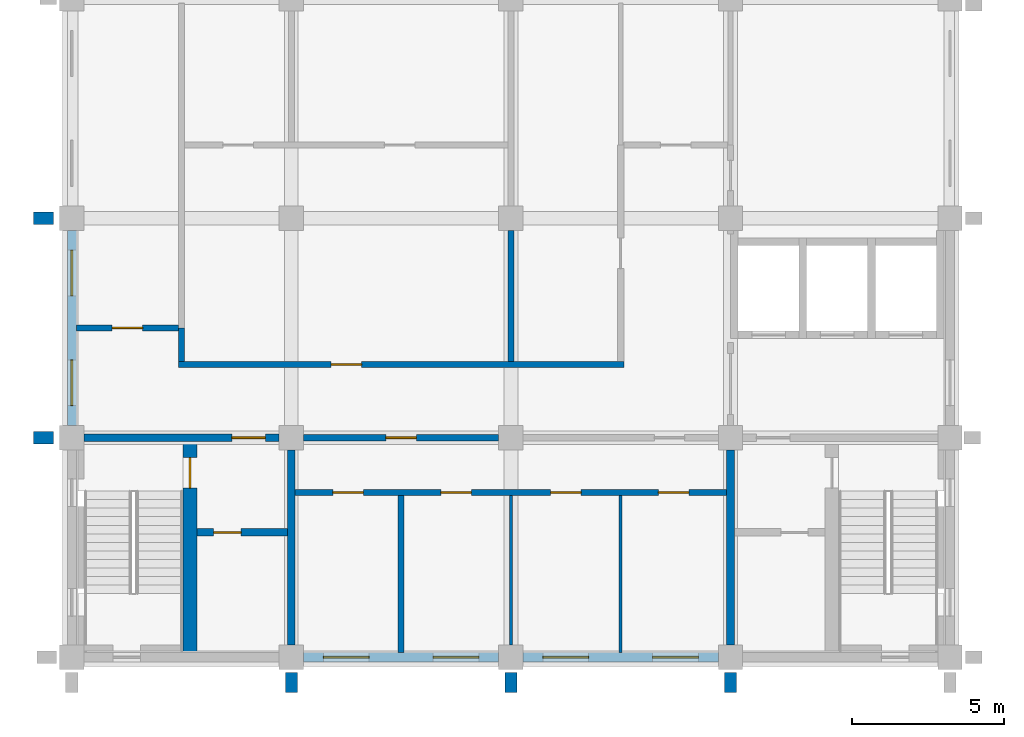
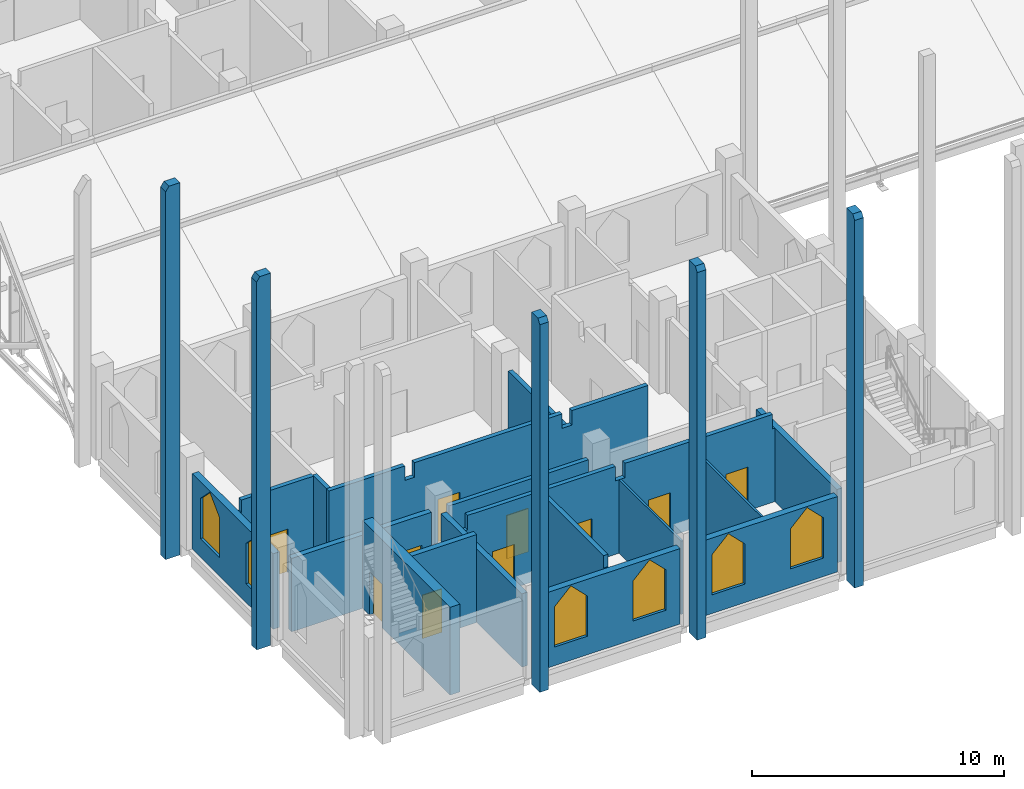
# One storey, part 18 of 29: 22 walls, 10 doors, 6 windows, 16 openings.
"""IFC4 building model written with IfcOpenShell, lengths in metres."""

from ifc_helpers import new_model, si_unit, direction, frame, frame_2d, origin, place, context, subcontext, project, spatial, polyline, rectangle, outline, extrude, material, layer, layer_set, type_object, element, fill, save


model = new_model("IFC4")

# Units and contexts
model_context = context("Model", 3, precision=1e-05, world=origin(), true_north=direction((0.0, 1.0)))
body_context = subcontext(model_context, "Body", "Model", "MODEL_VIEW")
ifc_project = project(units=[si_unit("LENGTHUNIT", "METRE"), si_unit("AREAUNIT", "SQUARE_METRE"), si_unit("VOLUMEUNIT", "CUBIC_METRE"), si_unit("PLANEANGLEUNIT", "RADIAN"), si_unit("MASSUNIT", "GRAM", prefix="KILO")], contexts=[model_context])

# Site, building, storey
site_placement = place(None, origin())
site = spatial("IfcSite", under=ifc_project, at=site_placement, CompositionType="ELEMENT")
building_placement = place(site_placement, origin())
building = spatial("IfcBuilding", under=site, at=building_placement, Name="Silangan Lancet Faculty of Sciences", CompositionType="ELEMENT")
storey_placement = place(building_placement, frame((0.0, 0.0, 40.800048828125)))
storey = spatial("IfcBuildingStorey", under=building, at=storey_placement, Name="L08", CompositionType="ELEMENT", Elevation=40.800048828125)

# Wall, openings, windows
ifc_material_1 = material(Name="Concrete C40/50 precast", Category="concrete")
ifc_layer_1 = layer(ifc_material_1, 0.300048828125)
ifc_layer_set_1 = layer_set([ifc_layer_1], Name="Concrete C40/50 precast")
wall_type_1 = type_object("IfcWallType", Name="EW1 Precast cladding wall", PredefinedType="STANDARD", material=ifc_layer_set_1)
wall_1_placement = place(storey_placement, frame((0.0, 7.60009765625, 0.0), z_axis=(0.0, 0.0, 1.0), x_axis=(0.0, 1.0, 0.0)))
wall_1 = element("IfcWall", 1, at=wall_1_placement, inside=storey, type_object=wall_type_1, Name="EW-L08-W-ST-01", PredefinedType="STANDARD", context=body_context, shape_type="SweptSolid", body=[
    extrude(rectangle(XDim=6.39990234375, YDim=0.300048828125, at=frame_2d((3.199951171875, 0.0))), origin(), (0.0, 0.0, 1.0), 3.64990234375),
])
opening_1_placement = place(wall_1_placement, frame((0.64990234375, 0.0, 0.89990234375)))
opening_1 = element("IfcOpeningElement", 2, at=opening_1_placement, cuts=wall_1, Name="Opening W23", PredefinedType="OPENING", context=body_context, shape_type="SweptSolid", body=[
    extrude(outline(polyline([(0.0, 0.0), (1.5, 0.0), (1.5, 1.949951171875), (0.75, 2.699951171875), (0.0, 1.949951171875), (0.0, 0.0)])), frame((0.0, 0.159912109375, 0.0), z_axis=(0.0, -1.0, 0.0), x_axis=(1.0, 0.0, 0.0)), (0.0, 0.0, 1.0), 0.320068359375),
])
opening_2_placement = place(wall_1_placement, frame((4.25, 0.0, 0.89990234375)))
opening_2 = element("IfcOpeningElement", 3, at=opening_2_placement, cuts=wall_1, Name="Opening W23", PredefinedType="OPENING", context=body_context, shape_type="SweptSolid", body=[
    extrude(outline(polyline([(0.0, 0.0), (1.5, 0.0), (1.5, 1.949951171875), (0.75, 2.699951171875), (0.0, 1.949951171875), (0.0, 0.0)])), frame((0.0, 0.159912109375, 0.0), z_axis=(0.0, -1.0, 0.0), x_axis=(1.0, 0.0, 0.0)), (0.0, 0.0, 1.0), 0.320068359375),
])
ifc_material_2 = material(Name="Aluminium frame, laminated double glazing", Category="aluminium")
window_type = type_object("IfcWindowType", Name="W23 Lancet window 1500 x 2700", PartitioningType="SINGLE_PANEL", PredefinedType="WINDOW", material=ifc_material_2)
window_1_placement = place(opening_1_placement, origin())
window_1 = element("IfcWindow", 4, at=window_1_placement, inside=storey, type_object=window_type, Name="WIN-L08-W-ST-01a", OverallHeight=2.699951171875, OverallWidth=1.5, PartitioningType="SINGLE_PANEL", PredefinedType="WINDOW", context=body_context, shape_type="SweptSolid", body=[
    extrude(outline(polyline([(0.0, 0.0), (1.5, 0.0), (1.5, 1.949951171875), (0.75, 2.699951171875), (0.0, 1.949951171875), (0.0, 0.0)])), frame((0.0, 0.030029296875, 0.0), z_axis=(0.0, -1.0, 0.0), x_axis=(1.0, 0.0, 0.0)), (0.0, 0.0, 1.0), 0.06005859375),
])
fill(opening_1, window_1)
window_2_placement = place(opening_2_placement, origin())
window_2 = element("IfcWindow", 5, at=window_2_placement, inside=storey, type_object=window_type, Name="WIN-L08-W-ST-01b", OverallHeight=2.699951171875, OverallWidth=1.5, PartitioningType="SINGLE_PANEL", PredefinedType="WINDOW", context=body_context, shape_type="SweptSolid", body=[
    extrude(outline(polyline([(0.0, 0.0), (1.5, 0.0), (1.5, 1.949951171875), (0.75, 2.699951171875), (0.0, 1.949951171875), (0.0, 0.0)])), frame((0.0, 0.030029296875, 0.0), z_axis=(0.0, -1.0, 0.0), x_axis=(1.0, 0.0, 0.0)), (0.0, 0.0, 1.0), 0.06005859375),
])
fill(opening_2, window_2)

wall_2_placement = place(storey_placement, frame((7.60009765625, 0.0, 0.0), z_axis=(0.0, 0.0, 1.0), x_axis=(1.0, 0.0, 0.0)))
wall_2 = element("IfcWall", 6, at=wall_2_placement, inside=storey, type_object=wall_type_1, Name="EW-L08-S-ST-01", PredefinedType="STANDARD", context=body_context, shape_type="SweptSolid", body=[
    extrude(rectangle(XDim=6.39990234375, YDim=0.300048828125, at=frame_2d((3.199951171875, 0.0))), origin(), (0.0, 0.0, 1.0), 3.64990234375),
])
opening_3_placement = place(wall_2_placement, frame((0.64990234375, 0.0, 0.89990234375)))
opening_3 = element("IfcOpeningElement", 7, at=opening_3_placement, cuts=wall_2, Name="Opening W23", PredefinedType="OPENING", context=body_context, shape_type="SweptSolid", body=[
    extrude(outline(polyline([(0.0, 0.0), (1.5, 0.0), (1.5, 1.949951171875), (0.75, 2.699951171875), (0.0, 1.949951171875), (0.0, 0.0)])), frame((0.0, 0.159912109375, 0.0), z_axis=(0.0, -1.0, 0.0), x_axis=(1.0, 0.0, 0.0)), (0.0, 0.0, 1.0), 0.320068359375),
])
opening_4_placement = place(wall_2_placement, frame((4.25, 0.0, 0.89990234375)))
opening_4 = element("IfcOpeningElement", 8, at=opening_4_placement, cuts=wall_2, Name="Opening W23", PredefinedType="OPENING", context=body_context, shape_type="SweptSolid", body=[
    extrude(outline(polyline([(0.0, 0.0), (1.5, 0.0), (1.5, 1.949951171875), (0.75, 2.699951171875), (0.0, 1.949951171875), (0.0, 0.0)])), frame((0.0, 0.159912109375, 0.0), z_axis=(0.0, -1.0, 0.0), x_axis=(1.0, 0.0, 0.0)), (0.0, 0.0, 1.0), 0.320068359375),
])
window_3_placement = place(opening_3_placement, origin())
window_3 = element("IfcWindow", 9, at=window_3_placement, inside=storey, type_object=window_type, Name="WIN-L08-S-ST-01a", OverallHeight=2.699951171875, OverallWidth=1.5, PartitioningType="SINGLE_PANEL", PredefinedType="WINDOW", context=body_context, shape_type="SweptSolid", body=[
    extrude(outline(polyline([(0.0, 0.0), (1.5, 0.0), (1.5, 1.949951171875), (0.75, 2.699951171875), (0.0, 1.949951171875), (0.0, 0.0)])), frame((0.0, 0.030029296875, 0.0), z_axis=(0.0, -1.0, 0.0), x_axis=(1.0, 0.0, 0.0)), (0.0, 0.0, 1.0), 0.06005859375),
])
fill(opening_3, window_3)
window_4_placement = place(opening_4_placement, origin())
window_4 = element("IfcWindow", 10, at=window_4_placement, inside=storey, type_object=window_type, Name="WIN-L08-S-ST-01b", OverallHeight=2.699951171875, OverallWidth=1.5, PartitioningType="SINGLE_PANEL", PredefinedType="WINDOW", context=body_context, shape_type="SweptSolid", body=[
    extrude(outline(polyline([(0.0, 0.0), (1.5, 0.0), (1.5, 1.949951171875), (0.75, 2.699951171875), (0.0, 1.949951171875), (0.0, 0.0)])), frame((0.0, 0.030029296875, 0.0), z_axis=(0.0, -1.0, 0.0), x_axis=(1.0, 0.0, 0.0)), (0.0, 0.0, 1.0), 0.06005859375),
])
fill(opening_4, window_4)

wall_3_placement = place(storey_placement, frame((14.800048828125, 0.0, 0.0), z_axis=(0.0, 0.0, 1.0), x_axis=(1.0, 0.0, 0.0)))
wall_3 = element("IfcWall", 11, at=wall_3_placement, inside=storey, type_object=wall_type_1, Name="EW-L08-S-ST-02", PredefinedType="STANDARD", context=body_context, shape_type="SweptSolid", body=[
    extrude(rectangle(XDim=6.39990234375, YDim=0.300048828125, at=frame_2d((3.199951171875, 0.0))), origin(), (0.0, 0.0, 1.0), 3.64990234375),
])
opening_5_placement = place(wall_3_placement, frame((0.64990234375, 0.0, 0.89990234375)))
opening_5 = element("IfcOpeningElement", 12, at=opening_5_placement, cuts=wall_3, Name="Opening W23", PredefinedType="OPENING", context=body_context, shape_type="SweptSolid", body=[
    extrude(outline(polyline([(0.0, 0.0), (1.5, 0.0), (1.5, 1.949951171875), (0.75, 2.699951171875), (0.0, 1.949951171875), (0.0, 0.0)])), frame((0.0, 0.159912109375, 0.0), z_axis=(0.0, -1.0, 0.0), x_axis=(1.0, 0.0, 0.0)), (0.0, 0.0, 1.0), 0.320068359375),
])
opening_6_placement = place(wall_3_placement, frame((4.25, 0.0, 0.89990234375)))
opening_6 = element("IfcOpeningElement", 13, at=opening_6_placement, cuts=wall_3, Name="Opening W23", PredefinedType="OPENING", context=body_context, shape_type="SweptSolid", body=[
    extrude(outline(polyline([(0.0, 0.0), (1.5, 0.0), (1.5, 1.949951171875), (0.75, 2.699951171875), (0.0, 1.949951171875), (0.0, 0.0)])), frame((0.0, 0.159912109375, 0.0), z_axis=(0.0, -1.0, 0.0), x_axis=(1.0, 0.0, 0.0)), (0.0, 0.0, 1.0), 0.320068359375),
])
window_5_placement = place(opening_5_placement, origin())
window_5 = element("IfcWindow", 14, at=window_5_placement, inside=storey, type_object=window_type, Name="WIN-L08-S-ST-02a", OverallHeight=2.699951171875, OverallWidth=1.5, PartitioningType="SINGLE_PANEL", PredefinedType="WINDOW", context=body_context, shape_type="SweptSolid", body=[
    extrude(outline(polyline([(0.0, 0.0), (1.5, 0.0), (1.5, 1.949951171875), (0.75, 2.699951171875), (0.0, 1.949951171875), (0.0, 0.0)])), frame((0.0, 0.030029296875, 0.0), z_axis=(0.0, -1.0, 0.0), x_axis=(1.0, 0.0, 0.0)), (0.0, 0.0, 1.0), 0.06005859375),
])
fill(opening_5, window_5)
window_6_placement = place(opening_6_placement, origin())
window_6 = element("IfcWindow", 15, at=window_6_placement, inside=storey, type_object=window_type, Name="WIN-L08-S-ST-02b", OverallHeight=2.699951171875, OverallWidth=1.5, PartitioningType="SINGLE_PANEL", PredefinedType="WINDOW", context=body_context, shape_type="SweptSolid", body=[
    extrude(outline(polyline([(0.0, 0.0), (1.5, 0.0), (1.5, 1.949951171875), (0.75, 2.699951171875), (0.0, 1.949951171875), (0.0, 0.0)])), frame((0.0, 0.030029296875, 0.0), z_axis=(0.0, -1.0, 0.0), x_axis=(1.0, 0.0, 0.0)), (0.0, 0.0, 1.0), 0.06005859375),
])
fill(opening_6, window_6)

# Walls
ifc_material_3 = material(Name="Concrete C40/50 precast", Category="concrete")
ifc_layer_2 = layer(ifc_material_3, 0.39990234375)
ifc_layer_set_2 = layer_set([ifc_layer_2], Name="Concrete C40/50 precast")
wall_type_2 = type_object("IfcWallType", Name="FN12 Buttress Fin column line stage 3 18000", PredefinedType="POLYGONAL", material=ifc_layer_set_2)
for number, where, z_axis, x_axis, name in (
    (16, (7.199951171875, -0.5, -0.25), (0.0, 0.0, 1.0), (0.0, -1.0, 0.0), "FINC-S-ST-02-S3"),
    (17, (14.39990234375, -0.5, -0.25), (0.0, 0.0, 1.0), (0.0, -1.0, 0.0), "FINC-S-ST-03-S3"),
    (18, (21.60009765625, -0.5, -0.25), (0.0, 0.0, 1.0), (0.0, -1.0, 0.0), "FINC-S-ST-04-S3"),
):
    element("IfcWall", number, at=place(storey_placement, frame(where, z_axis=z_axis, x_axis=x_axis)), inside=storey, type_object=wall_type_2, Name=name, PredefinedType="POLYGONAL", context=body_context, shape_type="SweptSolid", body=[
        extrude(outline(polyline([(0.64990234375, 0.0), (0.64990234375, 17.77490234375), (0.5, 18.0), (0.0, 18.0), (0.0, 0.0), (0.64990234375, 0.0)])), frame((0.0, 0.199951171875, 0.0), z_axis=(0.0, -1.0, 0.0), x_axis=(1.0, 0.0, 0.0)), (0.0, 0.0, 1.0), 0.39990234375),
    ])
ifc_material_4 = material(Name="Concrete C40/50 precast", Category="concrete")
ifc_layer_3 = layer(ifc_material_4, 0.39990234375)
ifc_layer_set_3 = layer_set([ifc_layer_3], Name="Concrete C40/50 precast")
wall_type_3 = type_object("IfcWallType", Name="FN16 Buttress Fin column line stage 3 18000", PredefinedType="POLYGONAL", material=ifc_layer_set_3)
for number, where, z_axis, x_axis, name in (
    (19, (-0.60009765625, 7.199951171875, -0.25), (0.0, 0.0, 1.0), (-1.0, 0.0, 0.0), "FINC-W-ST-02-S3"),
    (20, (-0.60009765625, 14.39990234375, -0.25), (0.0, 0.0, 1.0), (-1.0, 0.0, 0.0), "FINC-W-ST-03-S3"),
):
    element("IfcWall", number, at=place(storey_placement, frame(where, z_axis=z_axis, x_axis=x_axis)), inside=storey, type_object=wall_type_3, Name=name, PredefinedType="POLYGONAL", context=body_context, shape_type="SweptSolid", body=[
        extrude(outline(polyline([(0.64990234375, 0.0), (0.64990234375, 17.77490234375), (0.5, 18.0), (0.0, 18.0), (0.0, 0.0), (0.64990234375, 0.0)])), frame((0.0, 0.199951171875, 0.0), z_axis=(0.0, -1.0, 0.0), x_axis=(1.0, 0.0, 0.0)), (0.0, 0.0, 1.0), 0.39990234375),
    ])

# Wall, openings, doors
ifc_material_5 = material(Name="Hollow block masonry fm 7 MPa", Category="masonry")
ifc_layer_4 = layer(ifc_material_5, 0.199951171875)
ifc_layer_set_4 = layer_set([ifc_layer_4], Name="Hollow block masonry fm 7 MPa")
wall_type_4 = type_object("IfcWallType", Name="Interior wall PW1 Corridor wall CHB 200", PredefinedType="PARTITIONING", material=ifc_layer_set_4)
wall_4_placement = place(storey_placement, frame((7.324951171875, 5.39990234375, 0.0), z_axis=(0.0, 0.0, 1.0), x_axis=(1.0, 0.0, 0.0)))
wall_4 = element("IfcWall", 21, at=wall_4_placement, inside=storey, type_object=wall_type_4, Name="Corridor wall CHB 200", PredefinedType="PARTITIONING", context=body_context, shape_type="SweptSolid", body=[
    extrude(outline(polyline([(0.0, 0.0), (14.150146484375, 0.0), (14.150146484375, 3.550048828125), (14.050048828125, 3.550048828125), (14.050048828125, 4.25), (7.300048828125, 4.25), (7.300048828125, 3.550048828125), (6.85009765625, 3.550048828125), (6.85009765625, 4.25), (0.10009765625, 4.25), (0.10009765625, 3.550048828125), (0.0, 3.550048828125), (0.0, 0.0)])), frame((0.0, 0.10009765625, 0.0), z_axis=(0.0, -1.0, 0.0), x_axis=(1.0, 0.0, 0.0)), (0.0, 0.0, 1.0), 0.199951171875),
])
opening_7_placement = place(wall_4_placement, frame((1.237548828125, 0.0, 0.0)))
opening_7 = element("IfcOpeningElement", 22, at=opening_7_placement, cuts=wall_4, Name="Opening L08-007", PredefinedType="OPENING", context=body_context, shape_type="SweptSolid", body=[
    extrude(rectangle(XDim=1.0, YDim=2.10009765625, at=frame_2d((0.5, 1.050048828125))), frame((0.0, 0.10986328125, 0.0), z_axis=(0.0, -1.0, 0.0), x_axis=(1.0, 0.0, 0.0)), (0.0, 0.0, 1.0), 0.219970703125),
])
opening_8_placement = place(wall_4_placement, frame((4.77490234375, 0.0, 0.0)))
opening_8 = element("IfcOpeningElement", 23, at=opening_8_placement, cuts=wall_4, Name="Opening L08-008", PredefinedType="OPENING", context=body_context, shape_type="SweptSolid", body=[
    extrude(rectangle(XDim=1.0, YDim=2.10009765625, at=frame_2d((0.5, 1.050048828125))), frame((0.0, 0.10986328125, 0.0), z_axis=(0.0, -1.0, 0.0), x_axis=(1.0, 0.0, 0.0)), (0.0, 0.0, 1.0), 0.219970703125),
])
opening_9_placement = place(wall_4_placement, frame((8.375, 0.0, 0.0)))
opening_9 = element("IfcOpeningElement", 24, at=opening_9_placement, cuts=wall_4, Name="Opening L08-009", PredefinedType="OPENING", context=body_context, shape_type="SweptSolid", body=[
    extrude(rectangle(XDim=1.0, YDim=2.10009765625, at=frame_2d((0.5, 1.050048828125))), frame((0.0, 0.10986328125, 0.0), z_axis=(0.0, -1.0, 0.0), x_axis=(1.0, 0.0, 0.0)), (0.0, 0.0, 1.0), 0.219970703125),
])
opening_10_placement = place(wall_4_placement, frame((11.91259765625, 0.0, 0.0)))
opening_10 = element("IfcOpeningElement", 25, at=opening_10_placement, cuts=wall_4, Name="Opening L08-010", PredefinedType="OPENING", context=body_context, shape_type="SweptSolid", body=[
    extrude(rectangle(XDim=1.0, YDim=2.10009765625, at=frame_2d((0.5, 1.050048828125))), frame((0.0, 0.10986328125, 0.0), z_axis=(0.0, -1.0, 0.0), x_axis=(1.0, 0.0, 0.0)), (0.0, 0.0, 1.0), 0.219970703125),
])
ifc_material_6 = material(Name="Steel fire door set", Category="steel")
door_type_1 = type_object("IfcDoorType", Name="Door D1 Single leaf fire door 1000 x 2100", OperationType="SINGLE_SWING_LEFT", PredefinedType="DOOR", material=ifc_material_6)
door_1_placement = place(opening_7_placement, frame((1.0, 0.0, 0.0), z_axis=(0.0, 0.0, 1.0), x_axis=(-1.0, 0.0, 0.0)))
door_1 = element("IfcDoor", 26, at=door_1_placement, inside=storey, type_object=door_type_1, Name="Single leaf fire door 1000 x 2100", OperationType="SINGLE_SWING_LEFT", OverallHeight=2.10009765625, OverallWidth=1.0, PredefinedType="DOOR", context=body_context, shape_type="SweptSolid", body=[
    extrude(rectangle(XDim=1.0, YDim=2.10009765625, at=frame_2d((0.5, 1.050048828125))), frame((0.0, 0.025146484375, 0.0), z_axis=(0.0, -1.0, 0.0), x_axis=(1.0, 0.0, 0.0)), (0.0, 0.0, 1.0), 0.050048828125),
])
fill(opening_7, door_1)
door_2_placement = place(opening_8_placement, frame((1.0, 0.0, 0.0), z_axis=(0.0, 0.0, 1.0), x_axis=(-1.0, 0.0, 0.0)))
door_2 = element("IfcDoor", 27, at=door_2_placement, inside=storey, type_object=door_type_1, Name="Single leaf fire door 1000 x 2100", OperationType="SINGLE_SWING_RIGHT", OverallHeight=2.10009765625, OverallWidth=1.0, PredefinedType="DOOR", context=body_context, shape_type="SweptSolid", body=[
    extrude(rectangle(XDim=1.0, YDim=2.10009765625, at=frame_2d((0.5, 1.050048828125))), frame((0.0, 0.025146484375, 0.0), z_axis=(0.0, -1.0, 0.0), x_axis=(1.0, 0.0, 0.0)), (0.0, 0.0, 1.0), 0.050048828125),
])
fill(opening_8, door_2)
door_3_placement = place(opening_9_placement, frame((1.0, 0.0, 0.0), z_axis=(0.0, 0.0, 1.0), x_axis=(-1.0, 0.0, 0.0)))
door_3 = element("IfcDoor", 28, at=door_3_placement, inside=storey, type_object=door_type_1, Name="Single leaf fire door 1000 x 2100", OperationType="SINGLE_SWING_LEFT", OverallHeight=2.10009765625, OverallWidth=1.0, PredefinedType="DOOR", context=body_context, shape_type="SweptSolid", body=[
    extrude(rectangle(XDim=1.0, YDim=2.10009765625, at=frame_2d((0.5, 1.050048828125))), frame((0.0, 0.025146484375, 0.0), z_axis=(0.0, -1.0, 0.0), x_axis=(1.0, 0.0, 0.0)), (0.0, 0.0, 1.0), 0.050048828125),
])
fill(opening_9, door_3)
door_4_placement = place(opening_10_placement, frame((1.0, 0.0, 0.0), z_axis=(0.0, 0.0, 1.0), x_axis=(-1.0, 0.0, 0.0)))
door_4 = element("IfcDoor", 29, at=door_4_placement, inside=storey, type_object=door_type_1, Name="Single leaf fire door 1000 x 2100", OperationType="SINGLE_SWING_RIGHT", OverallHeight=2.10009765625, OverallWidth=1.0, PredefinedType="DOOR", context=body_context, shape_type="SweptSolid", body=[
    extrude(rectangle(XDim=1.0, YDim=2.10009765625, at=frame_2d((0.5, 1.050048828125))), frame((0.0, 0.025146484375, 0.0), z_axis=(0.0, -1.0, 0.0), x_axis=(1.0, 0.0, 0.0)), (0.0, 0.0, 1.0), 0.050048828125),
])
fill(opening_10, door_4)

# Wall, opening, door
wall_5_placement = place(storey_placement, frame((7.60009765625, 7.199951171875, 0.0), z_axis=(0.0, 0.0, 1.0), x_axis=(1.0, 0.0, 0.0)))
wall_5 = element("IfcWall", 30, at=wall_5_placement, inside=storey, type_object=wall_type_4, Name="Corridor wall CHB 200", PredefinedType="PARTITIONING", context=body_context, shape_type="SweptSolid", body=[
    extrude(rectangle(XDim=6.39990234375, YDim=0.199951171875, at=frame_2d((3.199951171875, 0.0))), origin(), (0.0, 0.0, 1.0), 3.550048828125),
])
opening_11_placement = place(wall_5_placement, frame((2.699951171875, 0.0, 0.0)))
opening_11 = element("IfcOpeningElement", 31, at=opening_11_placement, cuts=wall_5, Name="Opening L08-002", PredefinedType="OPENING", context=body_context, shape_type="SweptSolid", body=[
    extrude(rectangle(XDim=1.0, YDim=2.10009765625, at=frame_2d((0.5, 1.050048828125))), frame((0.0, 0.10986328125, 0.0), z_axis=(0.0, -1.0, 0.0), x_axis=(1.0, 0.0, 0.0)), (0.0, 0.0, 1.0), 0.219970703125),
])
door_5_placement = place(opening_11_placement, frame((1.0, 0.0, 0.0), z_axis=(0.0, 0.0, 1.0), x_axis=(-1.0, 0.0, 0.0)))
door_5 = element("IfcDoor", 32, at=door_5_placement, inside=storey, type_object=door_type_1, Name="Single leaf fire door 1000 x 2100", OperationType="SINGLE_SWING_RIGHT", OverallHeight=2.10009765625, OverallWidth=1.0, PredefinedType="DOOR", context=body_context, shape_type="SweptSolid", body=[
    extrude(rectangle(XDim=1.0, YDim=2.10009765625, at=frame_2d((0.5, 1.050048828125))), frame((0.0, 0.025146484375, 0.0), z_axis=(0.0, -1.0, 0.0), x_axis=(1.0, 0.0, 0.0)), (0.0, 0.0, 1.0), 0.050048828125),
])
fill(opening_11, door_5)

wall_6_placement = place(storey_placement, frame((3.5, 9.60009765625, 0.0), z_axis=(0.0, 0.0, 1.0), x_axis=(1.0, 0.0, 0.0)))
wall_6 = element("IfcWall", 33, at=wall_6_placement, inside=storey, type_object=wall_type_4, Name="Corridor wall CHB 200", PredefinedType="PARTITIONING", context=body_context, shape_type="SweptSolid", body=[
    extrude(outline(polyline([(0.0, 0.0), (14.60009765625, 0.0), (14.60009765625, 4.25), (11.125, 4.25), (11.125, 3.550048828125), (10.675048828125, 3.550048828125), (10.675048828125, 4.25), (3.925048828125, 4.25), (3.925048828125, 3.550048828125), (3.47509765625, 3.550048828125), (3.47509765625, 4.25), (0.0, 4.25), (0.0, 0.0)])), frame((0.0, 0.10009765625, 0.0), z_axis=(0.0, -1.0, 0.0), x_axis=(1.0, 0.0, 0.0)), (0.0, 0.0, 1.0), 0.199951171875),
])
opening_12_placement = place(wall_6_placement, frame((5.0, 0.0, 0.0)))
opening_12 = element("IfcOpeningElement", 34, at=opening_12_placement, cuts=wall_6, Name="Opening L08-014", PredefinedType="OPENING", context=body_context, shape_type="SweptSolid", body=[
    extrude(rectangle(XDim=1.0, YDim=2.10009765625, at=frame_2d((0.5, 1.050048828125))), frame((0.0, 0.10986328125, 0.0), z_axis=(0.0, -1.0, 0.0), x_axis=(1.0, 0.0, 0.0)), (0.0, 0.0, 1.0), 0.219970703125),
])
door_6_placement = place(opening_12_placement, origin())
door_6 = element("IfcDoor", 35, at=door_6_placement, inside=storey, type_object=door_type_1, Name="Single leaf fire door 1000 x 2100", OperationType="SINGLE_SWING_LEFT", OverallHeight=2.10009765625, OverallWidth=1.0, PredefinedType="DOOR", context=body_context, shape_type="SweptSolid", body=[
    extrude(rectangle(XDim=1.0, YDim=2.10009765625, at=frame_2d((0.5, 1.050048828125))), frame((0.0, 0.02490234375, 0.0), z_axis=(0.0, -1.0, 0.0), x_axis=(1.0, 0.0, 0.0)), (0.0, 0.0, 1.0), 0.050048828125),
])
fill(opening_12, door_6)

wall_7_placement = place(storey_placement, frame((0.14990234375, 10.800048828125, 0.0), z_axis=(0.0, 0.0, 1.0), x_axis=(1.0, 0.0, 0.0)))
wall_7 = element("IfcWall", 36, at=wall_7_placement, inside=storey, type_object=wall_type_4, Name="Corridor wall CHB 200", PredefinedType="PARTITIONING", context=body_context, shape_type="SweptSolid", body=[
    extrude(outline(polyline([(0.0, 0.0), (3.35009765625, 0.0), (3.35009765625, 4.25), (0.050048828125, 4.25), (0.050048828125, 3.64990234375), (0.0, 3.64990234375), (0.0, 0.0)])), frame((0.0, 0.10009765625, 0.0), z_axis=(0.0, -1.0, 0.0), x_axis=(1.0, 0.0, 0.0)), (0.0, 0.0, 1.0), 0.199951171875),
])
opening_13_placement = place(wall_7_placement, frame((1.175048828125, 0.0, 0.0)))
opening_13 = element("IfcOpeningElement", 37, at=opening_13_placement, cuts=wall_7, Name="Opening L08-013", PredefinedType="OPENING", context=body_context, shape_type="SweptSolid", body=[
    extrude(rectangle(XDim=1.0, YDim=2.10009765625, at=frame_2d((0.5, 1.050048828125))), frame((0.0, 0.10986328125, 0.0), z_axis=(0.0, -1.0, 0.0), x_axis=(1.0, 0.0, 0.0)), (0.0, 0.0, 1.0), 0.219970703125),
])
door_7_placement = place(opening_13_placement, origin())
door_7 = element("IfcDoor", 38, at=door_7_placement, inside=storey, type_object=door_type_1, Name="Single leaf fire door 1000 x 2100", OperationType="SINGLE_SWING_RIGHT", OverallHeight=2.10009765625, OverallWidth=1.0, PredefinedType="DOOR", context=body_context, shape_type="SweptSolid", body=[
    extrude(rectangle(XDim=1.0, YDim=2.10009765625, at=frame_2d((0.5, 1.050048828125))), frame((0.0, 0.02490234375, 0.0), z_axis=(0.0, -1.0, 0.0), x_axis=(1.0, 0.0, 0.0)), (0.0, 0.0, 1.0), 0.050048828125),
])
fill(opening_13, door_7)

# Walls
wall_8_placement = place(storey_placement, frame((3.60009765625, 9.699951171875, 0.0), z_axis=(0.0, 0.0, 1.0), x_axis=(0.0, 1.0, 0.0)))
element("IfcWall", 39, at=wall_8_placement, inside=storey, type_object=wall_type_4, Name="Corridor wall CHB 200", PredefinedType="PARTITIONING", context=body_context, shape_type="SweptSolid", body=[
    extrude(rectangle(XDim=1.10009765625, YDim=0.199951171875, at=frame_2d((0.550048828125, 0.0))), origin(), (0.0, 0.0, 1.0), 4.25),
])
ifc_material_7 = material(Name="Hollow block masonry fm 7 MPa", Category="masonry")
ifc_layer_5 = layer(ifc_material_7, 0.199951171875)
ifc_layer_set_5 = layer_set([ifc_layer_5], Name="Hollow block masonry fm 7 MPa")
wall_type_5 = type_object("IfcWallType", Name="Interior wall PW4 Laboratory separation CHB 200", PredefinedType="PARTITIONING", material=ifc_layer_set_5)
wall_9_placement = place(storey_placement, frame((10.800048828125, 0.14990234375, 0.0), z_axis=(0.0, 0.0, 1.0), x_axis=(0.0, 1.0, 0.0)))
element("IfcWall", 40, at=wall_9_placement, inside=storey, type_object=wall_type_5, Name="Laboratory separation CHB 200", PredefinedType="PARTITIONING", context=body_context, shape_type="SweptSolid", body=[
    extrude(outline(polyline([(0.0, 0.0), (5.150146484375, 0.0), (5.150146484375, 4.25), (0.050048828125, 4.25), (0.050048828125, 3.64990234375), (0.0, 3.64990234375), (0.0, 0.0)])), frame((0.0, 0.10009765625, 0.0), z_axis=(0.0, -1.0, 0.0), x_axis=(1.0, 0.0, 0.0)), (0.0, 0.0, 1.0), 0.199951171875),
])
wall_10_placement = place(storey_placement, frame((14.39990234375, 9.699951171875, 0.0), z_axis=(0.0, 0.0, 1.0), x_axis=(0.0, 1.0, 0.0)))
element("IfcWall", 41, at=wall_10_placement, inside=storey, type_object=wall_type_5, Name="Laboratory separation CHB 200", PredefinedType="PARTITIONING", context=body_context, shape_type="SweptSolid", body=[
    extrude(rectangle(XDim=4.300048828125, YDim=0.199951171875, at=frame_2d((2.14990234375, 0.0))), origin(), (0.0, 0.0, 1.0), 3.550048828125),
])
ifc_material_8 = material(Name="Hollow block masonry fm 7 MPa", Category="masonry")
ifc_layer_6 = layer(ifc_material_8, 0.10009765625)
ifc_layer_set_6 = layer_set([ifc_layer_6], Name="Hollow block masonry fm 7 MPa")
wall_type_6 = type_object("IfcWallType", Name="Interior wall PW8 WC partition CHB 100", PredefinedType="PARTITIONING", material=ifc_layer_set_6)
wall_11_placement = place(storey_placement, frame((14.39990234375, 0.39990234375, 0.0), z_axis=(0.0, 0.0, 1.0), x_axis=(0.0, 1.0, 0.0)))
element("IfcWall", 42, at=wall_11_placement, inside=storey, type_object=wall_type_6, Name="WC partition CHB 100", PredefinedType="PARTITIONING", context=body_context, shape_type="SweptSolid", body=[
    extrude(rectangle(XDim=4.900146484375, YDim=0.10009765625, at=frame_2d((2.4501953125, 0.0))), origin(), (0.0, 0.0, 1.0), 3.550048828125),
])
wall_12_placement = place(storey_placement, frame((18.0, 0.14990234375, 0.0), z_axis=(0.0, 0.0, 1.0), x_axis=(0.0, 1.0, 0.0)))
element("IfcWall", 43, at=wall_12_placement, inside=storey, type_object=wall_type_6, Name="WC partition CHB 100", PredefinedType="PARTITIONING", context=body_context, shape_type="SweptSolid", body=[
    extrude(rectangle(XDim=5.150146484375, YDim=0.10009765625, at=frame_2d((2.5751953125, 0.0))), origin(), (0.0, 0.0, 1.0), 3.550048828125),
])

# Wall, opening, door
ifc_material_9 = material(Name="Concrete C40/50", Category="concrete")
ifc_layer_7 = layer(ifc_material_9, 0.449951171875)
ifc_layer_set_7 = layer_set([ifc_layer_7], Name="Concrete C40/50")
wall_type_7 = type_object("IfcWallType", Name="TURRET CORE WALL RC 450", PredefinedType="SHEAR", material=ifc_layer_set_7)
wall_13_placement = place(storey_placement, frame((3.875, 0.14990234375, 0.0), z_axis=(0.0, 0.0, 1.0), x_axis=(0.0, 1.0, 0.0)))
wall_13 = element("IfcWall", 44, at=wall_13_placement, inside=storey, type_object=wall_type_7, Name="WALL-L08-ST-A-WELL", PredefinedType="SHEAR", context=body_context, shape_type="SweptSolid", body=[
    extrude(rectangle(XDim=6.925048828125, YDim=0.449951171875, at=frame_2d((3.46240234375, 0.0))), origin(), (0.0, 0.0, 1.0), 4.25),
])
opening_14_placement = place(wall_13_placement, frame((5.39990234375, 0.0, 0.0)))
opening_14 = element("IfcOpeningElement", 45, at=opening_14_placement, cuts=wall_13, Name="Opening L08-707", PredefinedType="OPENING", context=body_context, shape_type="SweptSolid", body=[
    extrude(rectangle(XDim=1.0, YDim=2.10009765625, at=frame_2d((0.5, 1.050048828125))), frame((0.0, 0.23486328125, 0.0), z_axis=(0.0, -1.0, 0.0), x_axis=(1.0, 0.0, 0.0)), (0.0, 0.0, 1.0), 0.469970703125),
])
ifc_material_10 = material(Name="Steel fire door set", Category="steel")
door_type_2 = type_object("IfcDoorType", Name="D71 Stair enclosure door 1000x2100", OperationType="SINGLE_SWING_LEFT", PredefinedType="DOOR", material=ifc_material_10)
door_8_placement = place(opening_14_placement, origin())
door_8 = element("IfcDoor", 46, at=door_8_placement, inside=storey, type_object=door_type_2, Name="Stair enclosure door ST-A L08", OperationType="SINGLE_SWING_RIGHT", OverallHeight=2.10009765625, OverallWidth=1.0, PredefinedType="DOOR", context=body_context, shape_type="SweptSolid", body=[
    extrude(rectangle(XDim=1.0, YDim=2.10009765625, at=frame_2d((0.5, 1.050048828125))), frame((0.0, 0.02490234375, 0.0), z_axis=(0.0, -1.0, 0.0), x_axis=(1.0, 0.0, 0.0)), (0.0, 0.0, 1.0), 0.050048828125),
])
fill(opening_14, door_8)

ifc_material_11 = material(Name="Concrete C40/50", Category="concrete")
ifc_layer_8 = layer(ifc_material_11, 0.25)
ifc_layer_set_8 = layer_set([ifc_layer_8], Name="Concrete C40/50")
wall_type_8 = type_object("IfcWallType", Name="TURRET WALL RC 250", PredefinedType="SHEAR", material=ifc_layer_set_8)
wall_14_placement = place(storey_placement, frame((0.39990234375, 7.199951171875, 0.0), z_axis=(0.0, 0.0, 1.0), x_axis=(1.0, 0.0, 0.0)))
wall_14 = element("IfcWall", 47, at=wall_14_placement, inside=storey, type_object=wall_type_8, Name="WALL-L08-ST-A-V", PredefinedType="SHEAR", context=body_context, shape_type="SweptSolid", body=[
    extrude(rectangle(XDim=6.400146484375, YDim=0.25, at=frame_2d((3.2001953125, 0.0))), origin(), (0.0, 0.0, 1.0), 3.550048828125),
])
opening_15_placement = place(wall_14_placement, frame((4.85009765625, 0.0, 0.0)))
opening_15 = element("IfcOpeningElement", 48, at=opening_15_placement, cuts=wall_14, Name="Opening L08-708", PredefinedType="OPENING", context=body_context, shape_type="SweptSolid", body=[
    extrude(rectangle(XDim=1.10009765625, YDim=2.10009765625, at=frame_2d((0.550048828125, 1.050048828125))), frame((0.0, 0.135009765625, 0.0), z_axis=(0.0, -1.0, 0.0), x_axis=(1.0, 0.0, 0.0)), (0.0, 0.0, 1.0), 0.27001953125),
])
ifc_material_12 = material(Name="Steel fire door set", Category="steel")
door_type_3 = type_object("IfcDoorType", Name="D70 Stair vestibule door 1100x2100", OperationType="SINGLE_SWING_LEFT", PredefinedType="DOOR", material=ifc_material_12)
door_9_placement = place(opening_15_placement, frame((1.10009765625, 0.0, 0.0), z_axis=(0.0, 0.0, 1.0), x_axis=(-1.0, 0.0, 0.0)))
door_9 = element("IfcDoor", 49, at=door_9_placement, inside=storey, type_object=door_type_3, Name="Stair vestibule door ST-A L08", OperationType="SINGLE_SWING_LEFT", OverallHeight=2.10009765625, OverallWidth=1.10009765625, PredefinedType="DOOR", context=body_context, shape_type="SweptSolid", body=[
    extrude(rectangle(XDim=1.10009765625, YDim=2.10009765625, at=frame_2d((0.550048828125, 1.050048828125))), frame((0.0, 0.025146484375, 0.0), z_axis=(0.0, -1.0, 0.0), x_axis=(1.0, 0.0, 0.0)), (0.0, 0.0, 1.0), 0.050048828125),
])
fill(opening_15, door_9)

# Wall
wall_15_placement = place(storey_placement, frame((7.199951171875, 0.39990234375, 0.0), z_axis=(0.0, 0.0, 1.0), x_axis=(0.0, 1.0, 0.0)))
element("IfcWall", 50, at=wall_15_placement, inside=storey, type_object=wall_type_8, Name="WALL-L08-ST-A-O", PredefinedType="SHEAR", context=body_context, shape_type="SweptSolid", body=[
    extrude(rectangle(XDim=6.400146484375, YDim=0.25, at=frame_2d((3.2001953125, 0.0))), origin(), (0.0, 0.0, 1.0), 3.550048828125),
])

# Wall, opening, door
wall_16_placement = place(storey_placement, frame((4.10009765625, 4.10009765625, 0.0), z_axis=(0.0, 0.0, 1.0), x_axis=(1.0, 0.0, 0.0)))
wall_16 = element("IfcWall", 51, at=wall_16_placement, inside=storey, type_object=wall_type_8, Name="WALL-L08-ST-A-RISER", PredefinedType="SHEAR", context=body_context, shape_type="SweptSolid", body=[
    extrude(rectangle(XDim=2.974853515625, YDim=0.25, at=frame_2d((1.4873046875, 0.0))), origin(), (0.0, 0.0, 1.0), 4.25),
])
opening_16_placement = place(wall_16_placement, frame((0.550048828125, 0.0, 0.0)))
opening_16 = element("IfcOpeningElement", 52, at=opening_16_placement, cuts=wall_16, Name="Opening L08-709", PredefinedType="OPENING", context=body_context, shape_type="SweptSolid", body=[
    extrude(rectangle(XDim=0.89990234375, YDim=2.10009765625, at=frame_2d((0.449951171875, 1.050048828125))), frame((0.0, 0.135009765625, 0.0), z_axis=(0.0, -1.0, 0.0), x_axis=(1.0, 0.0, 0.0)), (0.0, 0.0, 1.0), 0.27001953125),
])
ifc_material_13 = material(Name="Steel fire door set", Category="steel")
door_type_4 = type_object("IfcDoorType", Name="D72 Riser access door 900x2100", OperationType="SINGLE_SWING_LEFT", PredefinedType="DOOR", material=ifc_material_13)
door_10_placement = place(opening_16_placement, frame((0.89990234375, 0.0, 0.0), z_axis=(0.0, 0.0, 1.0), x_axis=(-1.0, 0.0, 0.0)))
door_10 = element("IfcDoor", 53, at=door_10_placement, inside=storey, type_object=door_type_4, Name="Riser access door ST-A L08", OperationType="SINGLE_SWING_LEFT", OverallHeight=2.10009765625, OverallWidth=0.89990234375, PredefinedType="DOOR", context=body_context, shape_type="SweptSolid", body=[
    extrude(rectangle(XDim=0.89990234375, YDim=2.10009765625, at=frame_2d((0.449951171875, 1.050048828125))), frame((0.0, 0.025146484375, 0.0), z_axis=(0.0, -1.0, 0.0), x_axis=(1.0, 0.0, 0.0)), (0.0, 0.0, 1.0), 0.050048828125),
])
fill(opening_16, door_10)

# Wall
wall_17_placement = place(storey_placement, frame((21.60009765625, 0.39990234375, 0.0), z_axis=(0.0, 0.0, 1.0), x_axis=(0.0, 1.0, 0.0)))
element("IfcWall", 54, at=wall_17_placement, inside=storey, type_object=wall_type_8, Name="WALL-L08-ST-B-O", PredefinedType="SHEAR", context=body_context, shape_type="SweptSolid", body=[
    extrude(rectangle(XDim=6.400146484375, YDim=0.25, at=frame_2d((3.2001953125, 0.0))), origin(), (0.0, 0.0, 1.0), 3.550048828125),
])

save(model, "model.ifc")
